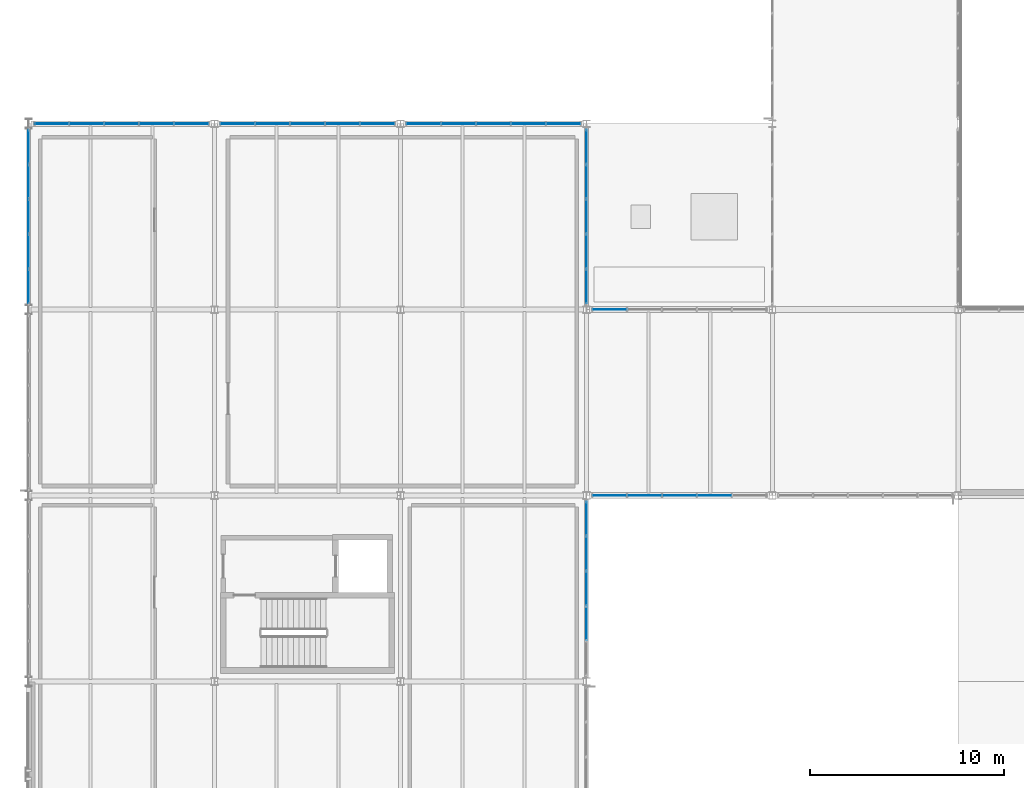
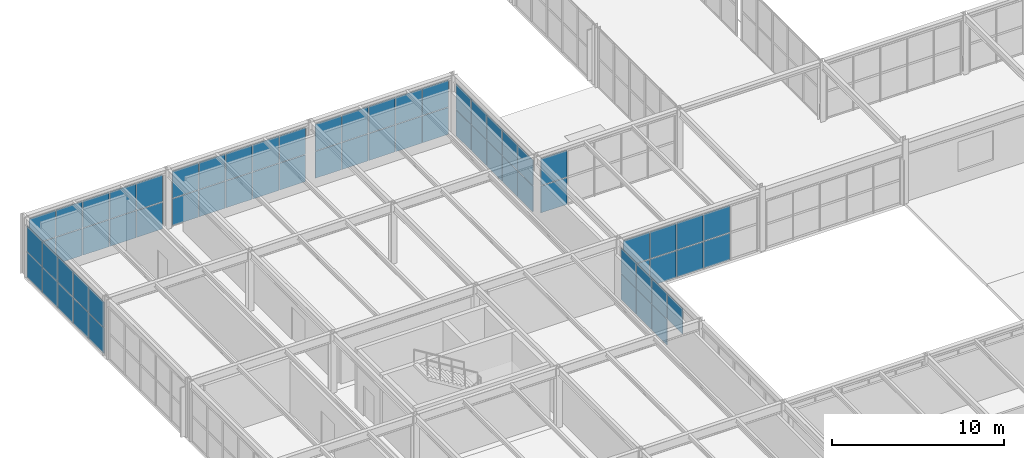
# One storey, part 133 of 170: 67 plates, 8 elements without a shape of their own.
"""IFC4 building model written with IfcOpenShell, lengths in metres."""

from ifc_helpers import new_model, si_unit, direction, frame, origin, origin_2d, place, context, subcontext, project, spatial, rectangle, extrude, material, layer, layer_set, type_object, element, aggregate, save


model = new_model("IFC4")

# Units and contexts
model_context = context("Model", 3, precision=1e-05, world=origin(), true_north=direction((0.0, 1.0)))
body_context = subcontext(model_context, "Body", "Model", "MODEL_VIEW")
ifc_project = project(units=[si_unit("LENGTHUNIT", "METRE"), si_unit("AREAUNIT", "SQUARE_METRE"), si_unit("VOLUMEUNIT", "CUBIC_METRE"), si_unit("PLANEANGLEUNIT", "RADIAN"), si_unit("MASSUNIT", "GRAM", prefix="KILO")], contexts=[model_context])

# Site, building, storey
site_placement = place(None, origin())
site = spatial("IfcSite", under=ifc_project, at=site_placement, CompositionType="ELEMENT")
building_placement = place(site_placement, origin())
building = spatial("IfcBuilding", under=site, at=building_placement, Name="Coralgate Yard Interchange", CompositionType="ELEMENT")
storey_placement = place(building_placement, frame((0.0, 0.0, 6.0)))
storey = spatial("IfcBuildingStorey", under=building, at=storey_placement, Name="L01", CompositionType="ELEMENT", Elevation=6.0)

# Curtain wall, plates
ifc_material_1 = material(Name="Anodised coastal aluminium and solar-control low-E glass", Category="aluminium")
curtain_wall_type_1 = type_object("IfcCurtainWallType", Name="CW-CW-L01-A", PredefinedType="NOTDEFINED", material=ifc_material_1)
curtain_wall_1_placement = place(storey_placement, origin())
curtain_wall_1 = element("IfcCurtainWall", 1, at=curtain_wall_1_placement, inside=storey, type_object=curtain_wall_type_1, Name="L01 unitised curtain wall CW-L01-W-00-05", PredefinedType="NOTDEFINED")
ifc_material_2 = material(Name="Solar-control double-glazed low-E glass unit", Category="glass")
ifc_layer = layer(ifc_material_2, 0.031982421875)
ifc_layer_set = layer_set([ifc_layer], Name="Solar-control double-glazed low-E glass unit")
plate_type = type_object("IfcPlateType", Name="PLT-CP-32", PredefinedType="CURTAIN_PANEL", material=ifc_layer_set)
plate_1_placement = place(storey_placement, frame((0.0, 49.199951171875, 0.02490234375), z_axis=(0.0, 0.0, 1.0), x_axis=(0.0, 1.0, 0.0)))
plate_1 = element("IfcPlate", 2, at=plate_1_placement, type_object=plate_type, Name="CW-L01-W-00-05 solar-control glazing panel 1-1", PredefinedType="CURTAIN_PANEL", context=body_context, shape_type="SweptSolid", body=[
    extrude(rectangle(XDim=1.75, YDim=0.031982421875, at=origin_2d()), origin(), (0.0, 0.0, 1.0), 1.808349609375),
])
plate_2_placement = place(storey_placement, frame((0.0, 49.199951171875, 1.88330078125), z_axis=(0.0, 0.0, 1.0), x_axis=(0.0, 1.0, 0.0)))
plate_2 = element("IfcPlate", 3, at=plate_2_placement, type_object=plate_type, Name="CW-L01-W-00-05 solar-control glazing panel 1-2", PredefinedType="CURTAIN_PANEL", context=body_context, shape_type="SweptSolid", body=[
    extrude(rectangle(XDim=1.75, YDim=0.031982421875, at=origin_2d()), origin(), (0.0, 0.0, 1.0), 1.808349609375),
])
plate_3_placement = place(storey_placement, frame((0.0, 51.0, 0.02490234375), z_axis=(0.0, 0.0, 1.0), x_axis=(0.0, 1.0, 0.0)))
plate_3 = element("IfcPlate", 4, at=plate_3_placement, type_object=plate_type, Name="CW-L01-W-00-05 solar-control glazing panel 2-1", PredefinedType="CURTAIN_PANEL", context=body_context, shape_type="SweptSolid", body=[
    extrude(rectangle(XDim=1.75, YDim=0.031982421875, at=origin_2d()), origin(), (0.0, 0.0, 1.0), 1.808349609375),
])
plate_4_placement = place(storey_placement, frame((0.0, 51.0, 1.88330078125), z_axis=(0.0, 0.0, 1.0), x_axis=(0.0, 1.0, 0.0)))
plate_4 = element("IfcPlate", 5, at=plate_4_placement, type_object=plate_type, Name="CW-L01-W-00-05 solar-control glazing panel 2-2", PredefinedType="CURTAIN_PANEL", context=body_context, shape_type="SweptSolid", body=[
    extrude(rectangle(XDim=1.75, YDim=0.031982421875, at=origin_2d()), origin(), (0.0, 0.0, 1.0), 1.808349609375),
])
plate_5_placement = place(storey_placement, frame((0.0, 52.800048828125, 0.02490234375), z_axis=(0.0, 0.0, 1.0), x_axis=(0.0, 1.0, 0.0)))
plate_5 = element("IfcPlate", 6, at=plate_5_placement, type_object=plate_type, Name="CW-L01-W-00-05 solar-control glazing panel 3-1", PredefinedType="CURTAIN_PANEL", context=body_context, shape_type="SweptSolid", body=[
    extrude(rectangle(XDim=1.75, YDim=0.031982421875, at=origin_2d()), origin(), (0.0, 0.0, 1.0), 1.808349609375),
])
plate_6_placement = place(storey_placement, frame((0.0, 52.800048828125, 1.88330078125), z_axis=(0.0, 0.0, 1.0), x_axis=(0.0, 1.0, 0.0)))
plate_6 = element("IfcPlate", 7, at=plate_6_placement, type_object=plate_type, Name="CW-L01-W-00-05 solar-control glazing panel 3-2", PredefinedType="CURTAIN_PANEL", context=body_context, shape_type="SweptSolid", body=[
    extrude(rectangle(XDim=1.75, YDim=0.031982421875, at=origin_2d()), origin(), (0.0, 0.0, 1.0), 1.808349609375),
])
plate_7_placement = place(storey_placement, frame((0.0, 54.60009765625, 0.02490234375), z_axis=(0.0, 0.0, 1.0), x_axis=(0.0, 1.0, 0.0)))
plate_7 = element("IfcPlate", 8, at=plate_7_placement, type_object=plate_type, Name="CW-L01-W-00-05 solar-control glazing panel 4-1", PredefinedType="CURTAIN_PANEL", context=body_context, shape_type="SweptSolid", body=[
    extrude(rectangle(XDim=1.75, YDim=0.031982421875, at=origin_2d()), origin(), (0.0, 0.0, 1.0), 1.808349609375),
])
plate_8_placement = place(storey_placement, frame((0.0, 54.60009765625, 1.88330078125), z_axis=(0.0, 0.0, 1.0), x_axis=(0.0, 1.0, 0.0)))
plate_8 = element("IfcPlate", 9, at=plate_8_placement, type_object=plate_type, Name="CW-L01-W-00-05 solar-control glazing panel 4-2", PredefinedType="CURTAIN_PANEL", context=body_context, shape_type="SweptSolid", body=[
    extrude(rectangle(XDim=1.75, YDim=0.031982421875, at=origin_2d()), origin(), (0.0, 0.0, 1.0), 1.808349609375),
])
plate_9_placement = place(storey_placement, frame((0.0, 56.39990234375, 0.02490234375), z_axis=(0.0, 0.0, 1.0), x_axis=(0.0, 1.0, 0.0)))
plate_9 = element("IfcPlate", 10, at=plate_9_placement, type_object=plate_type, Name="CW-L01-W-00-05 solar-control glazing panel 5-1", PredefinedType="CURTAIN_PANEL", context=body_context, shape_type="SweptSolid", body=[
    extrude(rectangle(XDim=1.75, YDim=0.031982421875, at=origin_2d()), origin(), (0.0, 0.0, 1.0), 1.808349609375),
])
plate_10_placement = place(storey_placement, frame((0.0, 56.39990234375, 1.88330078125), z_axis=(0.0, 0.0, 1.0), x_axis=(0.0, 1.0, 0.0)))
plate_10 = element("IfcPlate", 11, at=plate_10_placement, type_object=plate_type, Name="CW-L01-W-00-05 solar-control glazing panel 5-2", PredefinedType="CURTAIN_PANEL", context=body_context, shape_type="SweptSolid", body=[
    extrude(rectangle(XDim=1.75, YDim=0.031982421875, at=origin_2d()), origin(), (0.0, 0.0, 1.0), 1.808349609375),
])
aggregate(curtain_wall_1, [plate_1, plate_2, plate_3, plate_4, plate_5, plate_6, plate_7, plate_8, plate_9, plate_10])

curtain_wall_type_2 = type_object("IfcCurtainWallType", Name="CW-CW-L01-B", PredefinedType="NOTDEFINED", material=ifc_material_1)
curtain_wall_2_placement = place(storey_placement, origin())
curtain_wall_2 = element("IfcCurtainWall", 12, at=curtain_wall_2_placement, inside=storey, type_object=curtain_wall_type_2, Name="L01 unitised curtain wall CW-L01-N-00-05", PredefinedType="NOTDEFINED")
plate_11_placement = place(storey_placement, frame((1.199951171875, 57.60009765625, 0.025146484375), z_axis=(0.0, 0.0, 1.0), x_axis=(1.0, 0.0, 0.0)))
plate_11 = element("IfcPlate", 13, at=plate_11_placement, type_object=plate_type, Name="CW-L01-N-00-05 solar-control glazing panel 1-1", PredefinedType="CURTAIN_PANEL", context=body_context, shape_type="SweptSolid", body=[
    extrude(rectangle(XDim=1.75, YDim=0.031982421875, at=origin_2d()), origin(), (0.0, 0.0, 1.0), 1.89990234375),
])
plate_12_placement = place(storey_placement, frame((1.199951171875, 57.60009765625, 1.97509765625), z_axis=(0.0, 0.0, 1.0), x_axis=(1.0, 0.0, 0.0)))
plate_12 = element("IfcPlate", 14, at=plate_12_placement, type_object=plate_type, Name="CW-L01-N-00-05 solar-control glazing panel 1-2", PredefinedType="CURTAIN_PANEL", context=body_context, shape_type="SweptSolid", body=[
    extrude(rectangle(XDim=1.75, YDim=0.031982421875, at=origin_2d()), origin(), (0.0, 0.0, 1.0), 1.89990234375),
])
plate_13_placement = place(storey_placement, frame((3.0, 57.60009765625, 0.025146484375), z_axis=(0.0, 0.0, 1.0), x_axis=(1.0, 0.0, 0.0)))
plate_13 = element("IfcPlate", 15, at=plate_13_placement, type_object=plate_type, Name="CW-L01-N-00-05 solar-control glazing panel 2-1", PredefinedType="CURTAIN_PANEL", context=body_context, shape_type="SweptSolid", body=[
    extrude(rectangle(XDim=1.75, YDim=0.031982421875, at=origin_2d()), origin(), (0.0, 0.0, 1.0), 1.89990234375),
])
plate_14_placement = place(storey_placement, frame((3.0, 57.60009765625, 1.97509765625), z_axis=(0.0, 0.0, 1.0), x_axis=(1.0, 0.0, 0.0)))
plate_14 = element("IfcPlate", 16, at=plate_14_placement, type_object=plate_type, Name="CW-L01-N-00-05 solar-control glazing panel 2-2", PredefinedType="CURTAIN_PANEL", context=body_context, shape_type="SweptSolid", body=[
    extrude(rectangle(XDim=1.75, YDim=0.031982421875, at=origin_2d()), origin(), (0.0, 0.0, 1.0), 1.89990234375),
])
plate_15_placement = place(storey_placement, frame((4.800048828125, 57.60009765625, 0.025146484375), z_axis=(0.0, 0.0, 1.0), x_axis=(1.0, 0.0, 0.0)))
plate_15 = element("IfcPlate", 17, at=plate_15_placement, type_object=plate_type, Name="CW-L01-N-00-05 solar-control glazing panel 3-1", PredefinedType="CURTAIN_PANEL", context=body_context, shape_type="SweptSolid", body=[
    extrude(rectangle(XDim=1.75, YDim=0.031982421875, at=origin_2d()), origin(), (0.0, 0.0, 1.0), 1.89990234375),
])
plate_16_placement = place(storey_placement, frame((4.800048828125, 57.60009765625, 1.97509765625), z_axis=(0.0, 0.0, 1.0), x_axis=(1.0, 0.0, 0.0)))
plate_16 = element("IfcPlate", 18, at=plate_16_placement, type_object=plate_type, Name="CW-L01-N-00-05 solar-control glazing panel 3-2", PredefinedType="CURTAIN_PANEL", context=body_context, shape_type="SweptSolid", body=[
    extrude(rectangle(XDim=1.75, YDim=0.031982421875, at=origin_2d()), origin(), (0.0, 0.0, 1.0), 1.89990234375),
])
plate_17_placement = place(storey_placement, frame((6.60009765625, 57.60009765625, 0.025146484375), z_axis=(0.0, 0.0, 1.0), x_axis=(1.0, 0.0, 0.0)))
plate_17 = element("IfcPlate", 19, at=plate_17_placement, type_object=plate_type, Name="CW-L01-N-00-05 solar-control glazing panel 4-1", PredefinedType="CURTAIN_PANEL", context=body_context, shape_type="SweptSolid", body=[
    extrude(rectangle(XDim=1.75, YDim=0.031982421875, at=origin_2d()), origin(), (0.0, 0.0, 1.0), 1.89990234375),
])
plate_18_placement = place(storey_placement, frame((6.60009765625, 57.60009765625, 1.97509765625), z_axis=(0.0, 0.0, 1.0), x_axis=(1.0, 0.0, 0.0)))
plate_18 = element("IfcPlate", 20, at=plate_18_placement, type_object=plate_type, Name="CW-L01-N-00-05 solar-control glazing panel 4-2", PredefinedType="CURTAIN_PANEL", context=body_context, shape_type="SweptSolid", body=[
    extrude(rectangle(XDim=1.75, YDim=0.031982421875, at=origin_2d()), origin(), (0.0, 0.0, 1.0), 1.89990234375),
])
plate_19_placement = place(storey_placement, frame((8.39990234375, 57.60009765625, 0.025146484375), z_axis=(0.0, 0.0, 1.0), x_axis=(1.0, 0.0, 0.0)))
plate_19 = element("IfcPlate", 21, at=plate_19_placement, type_object=plate_type, Name="CW-L01-N-00-05 solar-control glazing panel 5-1", PredefinedType="CURTAIN_PANEL", context=body_context, shape_type="SweptSolid", body=[
    extrude(rectangle(XDim=1.75, YDim=0.031982421875, at=origin_2d()), origin(), (0.0, 0.0, 1.0), 1.89990234375),
])
plate_20_placement = place(storey_placement, frame((8.39990234375, 57.60009765625, 1.97509765625), z_axis=(0.0, 0.0, 1.0), x_axis=(1.0, 0.0, 0.0)))
plate_20 = element("IfcPlate", 22, at=plate_20_placement, type_object=plate_type, Name="CW-L01-N-00-05 solar-control glazing panel 5-2", PredefinedType="CURTAIN_PANEL", context=body_context, shape_type="SweptSolid", body=[
    extrude(rectangle(XDim=1.75, YDim=0.031982421875, at=origin_2d()), origin(), (0.0, 0.0, 1.0), 1.89990234375),
])
aggregate(curtain_wall_2, [plate_11, plate_12, plate_13, plate_14, plate_15, plate_16, plate_17, plate_18, plate_19, plate_20])

curtain_wall_3_placement = place(storey_placement, origin())
curtain_wall_3 = element("IfcCurtainWall", 23, at=curtain_wall_3_placement, inside=storey, type_object=curtain_wall_type_2, Name="L01 unitised curtain wall CW-L01-N-01-05", PredefinedType="NOTDEFINED")
plate_21_placement = place(storey_placement, frame((10.800048828125, 57.60009765625, 0.025146484375), z_axis=(0.0, 0.0, 1.0), x_axis=(1.0, 0.0, 0.0)))
plate_21 = element("IfcPlate", 24, at=plate_21_placement, type_object=plate_type, Name="CW-L01-N-01-05 solar-control glazing panel 1-1", PredefinedType="CURTAIN_PANEL", context=body_context, shape_type="SweptSolid", body=[
    extrude(rectangle(XDim=1.75, YDim=0.031982421875, at=origin_2d()), origin(), (0.0, 0.0, 1.0), 1.89990234375),
])
plate_22_placement = place(storey_placement, frame((10.800048828125, 57.60009765625, 1.97509765625), z_axis=(0.0, 0.0, 1.0), x_axis=(1.0, 0.0, 0.0)))
plate_22 = element("IfcPlate", 25, at=plate_22_placement, type_object=plate_type, Name="CW-L01-N-01-05 solar-control glazing panel 1-2", PredefinedType="CURTAIN_PANEL", context=body_context, shape_type="SweptSolid", body=[
    extrude(rectangle(XDim=1.75, YDim=0.031982421875, at=origin_2d()), origin(), (0.0, 0.0, 1.0), 1.89990234375),
])
plate_23_placement = place(storey_placement, frame((12.60009765625, 57.60009765625, 0.025146484375), z_axis=(0.0, 0.0, 1.0), x_axis=(1.0, 0.0, 0.0)))
plate_23 = element("IfcPlate", 26, at=plate_23_placement, type_object=plate_type, Name="CW-L01-N-01-05 solar-control glazing panel 2-1", PredefinedType="CURTAIN_PANEL", context=body_context, shape_type="SweptSolid", body=[
    extrude(rectangle(XDim=1.75, YDim=0.031982421875, at=origin_2d()), origin(), (0.0, 0.0, 1.0), 1.89990234375),
])
plate_24_placement = place(storey_placement, frame((12.60009765625, 57.60009765625, 1.97509765625), z_axis=(0.0, 0.0, 1.0), x_axis=(1.0, 0.0, 0.0)))
plate_24 = element("IfcPlate", 27, at=plate_24_placement, type_object=plate_type, Name="CW-L01-N-01-05 solar-control glazing panel 2-2", PredefinedType="CURTAIN_PANEL", context=body_context, shape_type="SweptSolid", body=[
    extrude(rectangle(XDim=1.75, YDim=0.031982421875, at=origin_2d()), origin(), (0.0, 0.0, 1.0), 1.89990234375),
])
plate_25_placement = place(storey_placement, frame((14.39990234375, 57.60009765625, 0.025146484375), z_axis=(0.0, 0.0, 1.0), x_axis=(1.0, 0.0, 0.0)))
plate_25 = element("IfcPlate", 28, at=plate_25_placement, type_object=plate_type, Name="CW-L01-N-01-05 solar-control glazing panel 3-1", PredefinedType="CURTAIN_PANEL", context=body_context, shape_type="SweptSolid", body=[
    extrude(rectangle(XDim=1.75, YDim=0.031982421875, at=origin_2d()), origin(), (0.0, 0.0, 1.0), 1.89990234375),
])
plate_26_placement = place(storey_placement, frame((14.39990234375, 57.60009765625, 1.97509765625), z_axis=(0.0, 0.0, 1.0), x_axis=(1.0, 0.0, 0.0)))
plate_26 = element("IfcPlate", 29, at=plate_26_placement, type_object=plate_type, Name="CW-L01-N-01-05 solar-control glazing panel 3-2", PredefinedType="CURTAIN_PANEL", context=body_context, shape_type="SweptSolid", body=[
    extrude(rectangle(XDim=1.75, YDim=0.031982421875, at=origin_2d()), origin(), (0.0, 0.0, 1.0), 1.89990234375),
])
plate_27_placement = place(storey_placement, frame((16.199951171875, 57.60009765625, 0.025146484375), z_axis=(0.0, 0.0, 1.0), x_axis=(1.0, 0.0, 0.0)))
plate_27 = element("IfcPlate", 30, at=plate_27_placement, type_object=plate_type, Name="CW-L01-N-01-05 solar-control glazing panel 4-1", PredefinedType="CURTAIN_PANEL", context=body_context, shape_type="SweptSolid", body=[
    extrude(rectangle(XDim=1.75, YDim=0.031982421875, at=origin_2d()), origin(), (0.0, 0.0, 1.0), 1.89990234375),
])
plate_28_placement = place(storey_placement, frame((16.199951171875, 57.60009765625, 1.97509765625), z_axis=(0.0, 0.0, 1.0), x_axis=(1.0, 0.0, 0.0)))
plate_28 = element("IfcPlate", 31, at=plate_28_placement, type_object=plate_type, Name="CW-L01-N-01-05 solar-control glazing panel 4-2", PredefinedType="CURTAIN_PANEL", context=body_context, shape_type="SweptSolid", body=[
    extrude(rectangle(XDim=1.75, YDim=0.031982421875, at=origin_2d()), origin(), (0.0, 0.0, 1.0), 1.89990234375),
])
plate_29_placement = place(storey_placement, frame((18.0, 57.60009765625, 0.025146484375), z_axis=(0.0, 0.0, 1.0), x_axis=(1.0, 0.0, 0.0)))
plate_29 = element("IfcPlate", 32, at=plate_29_placement, type_object=plate_type, Name="CW-L01-N-01-05 solar-control glazing panel 5-1", PredefinedType="CURTAIN_PANEL", context=body_context, shape_type="SweptSolid", body=[
    extrude(rectangle(XDim=1.75, YDim=0.031982421875, at=origin_2d()), origin(), (0.0, 0.0, 1.0), 1.89990234375),
])
plate_30_placement = place(storey_placement, frame((18.0, 57.60009765625, 1.97509765625), z_axis=(0.0, 0.0, 1.0), x_axis=(1.0, 0.0, 0.0)))
plate_30 = element("IfcPlate", 33, at=plate_30_placement, type_object=plate_type, Name="CW-L01-N-01-05 solar-control glazing panel 5-2", PredefinedType="CURTAIN_PANEL", context=body_context, shape_type="SweptSolid", body=[
    extrude(rectangle(XDim=1.75, YDim=0.031982421875, at=origin_2d()), origin(), (0.0, 0.0, 1.0), 1.89990234375),
])
aggregate(curtain_wall_3, [plate_21, plate_22, plate_23, plate_24, plate_25, plate_26, plate_27, plate_28, plate_29, plate_30])

curtain_wall_4_placement = place(storey_placement, origin())
curtain_wall_4 = element("IfcCurtainWall", 34, at=curtain_wall_4_placement, inside=storey, type_object=curtain_wall_type_1, Name="L01 unitised curtain wall CW-L01-E-02-03", PredefinedType="NOTDEFINED")
plate_31_placement = place(storey_placement, frame((28.800048828125, 37.199951171875, 0.02490234375), z_axis=(0.0, 0.0, 1.0), x_axis=(0.0, -1.0, 0.0)))
plate_31 = element("IfcPlate", 35, at=plate_31_placement, type_object=plate_type, Name="CW-L01-E-02-03 solar-control glazing panel 1-1", PredefinedType="CURTAIN_PANEL", context=body_context, shape_type="SweptSolid", body=[
    extrude(rectangle(XDim=1.75, YDim=0.031982421875, at=origin_2d()), origin(), (0.0, 0.0, 1.0), 1.808349609375),
])
plate_32_placement = place(storey_placement, frame((28.800048828125, 37.199951171875, 1.88330078125), z_axis=(0.0, 0.0, 1.0), x_axis=(0.0, -1.0, 0.0)))
plate_32 = element("IfcPlate", 36, at=plate_32_placement, type_object=plate_type, Name="CW-L01-E-02-03 solar-control glazing panel 1-2", PredefinedType="CURTAIN_PANEL", context=body_context, shape_type="SweptSolid", body=[
    extrude(rectangle(XDim=1.75, YDim=0.031982421875, at=origin_2d()), origin(), (0.0, 0.0, 1.0), 1.808349609375),
])
plate_33_placement = place(storey_placement, frame((28.800048828125, 35.39990234375, 0.02490234375), z_axis=(0.0, 0.0, 1.0), x_axis=(0.0, -1.0, 0.0)))
plate_33 = element("IfcPlate", 37, at=plate_33_placement, type_object=plate_type, Name="CW-L01-E-02-03 solar-control glazing panel 2-1", PredefinedType="CURTAIN_PANEL", context=body_context, shape_type="SweptSolid", body=[
    extrude(rectangle(XDim=1.75, YDim=0.031982421875, at=origin_2d()), origin(), (0.0, 0.0, 1.0), 1.808349609375),
])
plate_34_placement = place(storey_placement, frame((28.800048828125, 35.39990234375, 1.88330078125), z_axis=(0.0, 0.0, 1.0), x_axis=(0.0, -1.0, 0.0)))
plate_34 = element("IfcPlate", 38, at=plate_34_placement, type_object=plate_type, Name="CW-L01-E-02-03 solar-control glazing panel 2-2", PredefinedType="CURTAIN_PANEL", context=body_context, shape_type="SweptSolid", body=[
    extrude(rectangle(XDim=1.75, YDim=0.031982421875, at=origin_2d()), origin(), (0.0, 0.0, 1.0), 1.808349609375),
])
plate_35_placement = place(storey_placement, frame((28.800048828125, 33.60009765625, 0.02490234375), z_axis=(0.0, 0.0, 1.0), x_axis=(0.0, -1.0, 0.0)))
plate_35 = element("IfcPlate", 39, at=plate_35_placement, type_object=plate_type, Name="CW-L01-E-02-03 solar-control glazing panel 3-1", PredefinedType="CURTAIN_PANEL", context=body_context, shape_type="SweptSolid", body=[
    extrude(rectangle(XDim=1.75, YDim=0.031982421875, at=origin_2d()), origin(), (0.0, 0.0, 1.0), 1.808349609375),
])
plate_36_placement = place(storey_placement, frame((28.800048828125, 33.60009765625, 1.88330078125), z_axis=(0.0, 0.0, 1.0), x_axis=(0.0, -1.0, 0.0)))
plate_36 = element("IfcPlate", 40, at=plate_36_placement, type_object=plate_type, Name="CW-L01-E-02-03 solar-control glazing panel 3-2", PredefinedType="CURTAIN_PANEL", context=body_context, shape_type="SweptSolid", body=[
    extrude(rectangle(XDim=1.75, YDim=0.031982421875, at=origin_2d()), origin(), (0.0, 0.0, 1.0), 1.808349609375),
])
plate_37_placement = place(storey_placement, frame((28.800048828125, 31.800048828125, 1.88330078125), z_axis=(0.0, 0.0, 1.0), x_axis=(0.0, -1.0, 0.0)))
plate_37 = element("IfcPlate", 41, at=plate_37_placement, type_object=plate_type, Name="CW-L01-E-02-03 solar-control glazing panel 4-2", PredefinedType="CURTAIN_PANEL", context=body_context, shape_type="SweptSolid", body=[
    extrude(rectangle(XDim=1.75, YDim=0.031982421875, at=origin_2d()), origin(), (0.0, 0.0, 1.0), 1.808349609375),
])
aggregate(curtain_wall_4, [plate_31, plate_32, plate_33, plate_34, plate_35, plate_36, plate_37])

curtain_wall_5_placement = place(storey_placement, origin())
curtain_wall_5 = element("IfcCurtainWall", 42, at=curtain_wall_5_placement, inside=storey, type_object=curtain_wall_type_2, Name="L01 unitised curtain wall CW-L01-N-02-05", PredefinedType="NOTDEFINED")
plate_38_placement = place(storey_placement, frame((20.39990234375, 57.60009765625, 0.025146484375), z_axis=(0.0, 0.0, 1.0), x_axis=(1.0, 0.0, 0.0)))
plate_38 = element("IfcPlate", 43, at=plate_38_placement, type_object=plate_type, Name="CW-L01-N-02-05 solar-control glazing panel 1-1", PredefinedType="CURTAIN_PANEL", context=body_context, shape_type="SweptSolid", body=[
    extrude(rectangle(XDim=1.75, YDim=0.031982421875, at=origin_2d()), origin(), (0.0, 0.0, 1.0), 1.89990234375),
])
plate_39_placement = place(storey_placement, frame((20.39990234375, 57.60009765625, 1.97509765625), z_axis=(0.0, 0.0, 1.0), x_axis=(1.0, 0.0, 0.0)))
plate_39 = element("IfcPlate", 44, at=plate_39_placement, type_object=plate_type, Name="CW-L01-N-02-05 solar-control glazing panel 1-2", PredefinedType="CURTAIN_PANEL", context=body_context, shape_type="SweptSolid", body=[
    extrude(rectangle(XDim=1.75, YDim=0.031982421875, at=origin_2d()), origin(), (0.0, 0.0, 1.0), 1.89990234375),
])
plate_40_placement = place(storey_placement, frame((22.199951171875, 57.60009765625, 0.025146484375), z_axis=(0.0, 0.0, 1.0), x_axis=(1.0, 0.0, 0.0)))
plate_40 = element("IfcPlate", 45, at=plate_40_placement, type_object=plate_type, Name="CW-L01-N-02-05 solar-control glazing panel 2-1", PredefinedType="CURTAIN_PANEL", context=body_context, shape_type="SweptSolid", body=[
    extrude(rectangle(XDim=1.75, YDim=0.031982421875, at=origin_2d()), origin(), (0.0, 0.0, 1.0), 1.89990234375),
])
plate_41_placement = place(storey_placement, frame((22.199951171875, 57.60009765625, 1.97509765625), z_axis=(0.0, 0.0, 1.0), x_axis=(1.0, 0.0, 0.0)))
plate_41 = element("IfcPlate", 46, at=plate_41_placement, type_object=plate_type, Name="CW-L01-N-02-05 solar-control glazing panel 2-2", PredefinedType="CURTAIN_PANEL", context=body_context, shape_type="SweptSolid", body=[
    extrude(rectangle(XDim=1.75, YDim=0.031982421875, at=origin_2d()), origin(), (0.0, 0.0, 1.0), 1.89990234375),
])
plate_42_placement = place(storey_placement, frame((24.0, 57.60009765625, 0.025146484375), z_axis=(0.0, 0.0, 1.0), x_axis=(1.0, 0.0, 0.0)))
plate_42 = element("IfcPlate", 47, at=plate_42_placement, type_object=plate_type, Name="CW-L01-N-02-05 solar-control glazing panel 3-1", PredefinedType="CURTAIN_PANEL", context=body_context, shape_type="SweptSolid", body=[
    extrude(rectangle(XDim=1.75, YDim=0.031982421875, at=origin_2d()), origin(), (0.0, 0.0, 1.0), 1.89990234375),
])
plate_43_placement = place(storey_placement, frame((24.0, 57.60009765625, 1.97509765625), z_axis=(0.0, 0.0, 1.0), x_axis=(1.0, 0.0, 0.0)))
plate_43 = element("IfcPlate", 48, at=plate_43_placement, type_object=plate_type, Name="CW-L01-N-02-05 solar-control glazing panel 3-2", PredefinedType="CURTAIN_PANEL", context=body_context, shape_type="SweptSolid", body=[
    extrude(rectangle(XDim=1.75, YDim=0.031982421875, at=origin_2d()), origin(), (0.0, 0.0, 1.0), 1.89990234375),
])
plate_44_placement = place(storey_placement, frame((25.800048828125, 57.60009765625, 0.025146484375), z_axis=(0.0, 0.0, 1.0), x_axis=(1.0, 0.0, 0.0)))
plate_44 = element("IfcPlate", 49, at=plate_44_placement, type_object=plate_type, Name="CW-L01-N-02-05 solar-control glazing panel 4-1", PredefinedType="CURTAIN_PANEL", context=body_context, shape_type="SweptSolid", body=[
    extrude(rectangle(XDim=1.75, YDim=0.031982421875, at=origin_2d()), origin(), (0.0, 0.0, 1.0), 1.89990234375),
])
plate_45_placement = place(storey_placement, frame((25.800048828125, 57.60009765625, 1.97509765625), z_axis=(0.0, 0.0, 1.0), x_axis=(1.0, 0.0, 0.0)))
plate_45 = element("IfcPlate", 50, at=plate_45_placement, type_object=plate_type, Name="CW-L01-N-02-05 solar-control glazing panel 4-2", PredefinedType="CURTAIN_PANEL", context=body_context, shape_type="SweptSolid", body=[
    extrude(rectangle(XDim=1.75, YDim=0.031982421875, at=origin_2d()), origin(), (0.0, 0.0, 1.0), 1.89990234375),
])
plate_46_placement = place(storey_placement, frame((27.60009765625, 57.60009765625, 0.025146484375), z_axis=(0.0, 0.0, 1.0), x_axis=(1.0, 0.0, 0.0)))
plate_46 = element("IfcPlate", 51, at=plate_46_placement, type_object=plate_type, Name="CW-L01-N-02-05 solar-control glazing panel 5-1", PredefinedType="CURTAIN_PANEL", context=body_context, shape_type="SweptSolid", body=[
    extrude(rectangle(XDim=1.75, YDim=0.031982421875, at=origin_2d()), origin(), (0.0, 0.0, 1.0), 1.89990234375),
])
plate_47_placement = place(storey_placement, frame((27.60009765625, 57.60009765625, 1.97509765625), z_axis=(0.0, 0.0, 1.0), x_axis=(1.0, 0.0, 0.0)))
plate_47 = element("IfcPlate", 52, at=plate_47_placement, type_object=plate_type, Name="CW-L01-N-02-05 solar-control glazing panel 5-2", PredefinedType="CURTAIN_PANEL", context=body_context, shape_type="SweptSolid", body=[
    extrude(rectangle(XDim=1.75, YDim=0.031982421875, at=origin_2d()), origin(), (0.0, 0.0, 1.0), 1.89990234375),
])
aggregate(curtain_wall_5, [plate_38, plate_39, plate_40, plate_41, plate_42, plate_43, plate_44, plate_45, plate_46, plate_47])

curtain_wall_6_placement = place(storey_placement, origin())
curtain_wall_6 = element("IfcCurtainWall", 53, at=curtain_wall_6_placement, inside=storey, type_object=curtain_wall_type_1, Name="L01 unitised curtain wall CW-L01-E-02-05", PredefinedType="NOTDEFINED")
plate_48_placement = place(storey_placement, frame((28.800048828125, 56.39990234375, 0.02490234375), z_axis=(0.0, 0.0, 1.0), x_axis=(0.0, -1.0, 0.0)))
plate_48 = element("IfcPlate", 54, at=plate_48_placement, type_object=plate_type, Name="CW-L01-E-02-05 solar-control glazing panel 1-1", PredefinedType="CURTAIN_PANEL", context=body_context, shape_type="SweptSolid", body=[
    extrude(rectangle(XDim=1.75, YDim=0.031982421875, at=origin_2d()), origin(), (0.0, 0.0, 1.0), 1.808349609375),
])
plate_49_placement = place(storey_placement, frame((28.800048828125, 56.39990234375, 1.88330078125), z_axis=(0.0, 0.0, 1.0), x_axis=(0.0, -1.0, 0.0)))
plate_49 = element("IfcPlate", 55, at=plate_49_placement, type_object=plate_type, Name="CW-L01-E-02-05 solar-control glazing panel 1-2", PredefinedType="CURTAIN_PANEL", context=body_context, shape_type="SweptSolid", body=[
    extrude(rectangle(XDim=1.75, YDim=0.031982421875, at=origin_2d()), origin(), (0.0, 0.0, 1.0), 1.808349609375),
])
plate_50_placement = place(storey_placement, frame((28.800048828125, 54.60009765625, 0.02490234375), z_axis=(0.0, 0.0, 1.0), x_axis=(0.0, -1.0, 0.0)))
plate_50 = element("IfcPlate", 56, at=plate_50_placement, type_object=plate_type, Name="CW-L01-E-02-05 solar-control glazing panel 2-1", PredefinedType="CURTAIN_PANEL", context=body_context, shape_type="SweptSolid", body=[
    extrude(rectangle(XDim=1.75, YDim=0.031982421875, at=origin_2d()), origin(), (0.0, 0.0, 1.0), 1.808349609375),
])
plate_51_placement = place(storey_placement, frame((28.800048828125, 54.60009765625, 1.88330078125), z_axis=(0.0, 0.0, 1.0), x_axis=(0.0, -1.0, 0.0)))
plate_51 = element("IfcPlate", 57, at=plate_51_placement, type_object=plate_type, Name="CW-L01-E-02-05 solar-control glazing panel 2-2", PredefinedType="CURTAIN_PANEL", context=body_context, shape_type="SweptSolid", body=[
    extrude(rectangle(XDim=1.75, YDim=0.031982421875, at=origin_2d()), origin(), (0.0, 0.0, 1.0), 1.808349609375),
])
plate_52_placement = place(storey_placement, frame((28.800048828125, 52.800048828125, 0.02490234375), z_axis=(0.0, 0.0, 1.0), x_axis=(0.0, -1.0, 0.0)))
plate_52 = element("IfcPlate", 58, at=plate_52_placement, type_object=plate_type, Name="CW-L01-E-02-05 solar-control glazing panel 3-1", PredefinedType="CURTAIN_PANEL", context=body_context, shape_type="SweptSolid", body=[
    extrude(rectangle(XDim=1.75, YDim=0.031982421875, at=origin_2d()), origin(), (0.0, 0.0, 1.0), 1.808349609375),
])
plate_53_placement = place(storey_placement, frame((28.800048828125, 52.800048828125, 1.88330078125), z_axis=(0.0, 0.0, 1.0), x_axis=(0.0, -1.0, 0.0)))
plate_53 = element("IfcPlate", 59, at=plate_53_placement, type_object=plate_type, Name="CW-L01-E-02-05 solar-control glazing panel 3-2", PredefinedType="CURTAIN_PANEL", context=body_context, shape_type="SweptSolid", body=[
    extrude(rectangle(XDim=1.75, YDim=0.031982421875, at=origin_2d()), origin(), (0.0, 0.0, 1.0), 1.808349609375),
])
plate_54_placement = place(storey_placement, frame((28.800048828125, 51.0, 0.02490234375), z_axis=(0.0, 0.0, 1.0), x_axis=(0.0, -1.0, 0.0)))
plate_54 = element("IfcPlate", 60, at=plate_54_placement, type_object=plate_type, Name="CW-L01-E-02-05 solar-control glazing panel 4-1", PredefinedType="CURTAIN_PANEL", context=body_context, shape_type="SweptSolid", body=[
    extrude(rectangle(XDim=1.75, YDim=0.031982421875, at=origin_2d()), origin(), (0.0, 0.0, 1.0), 1.808349609375),
])
plate_55_placement = place(storey_placement, frame((28.800048828125, 51.0, 1.88330078125), z_axis=(0.0, 0.0, 1.0), x_axis=(0.0, -1.0, 0.0)))
plate_55 = element("IfcPlate", 61, at=plate_55_placement, type_object=plate_type, Name="CW-L01-E-02-05 solar-control glazing panel 4-2", PredefinedType="CURTAIN_PANEL", context=body_context, shape_type="SweptSolid", body=[
    extrude(rectangle(XDim=1.75, YDim=0.031982421875, at=origin_2d()), origin(), (0.0, 0.0, 1.0), 1.808349609375),
])
plate_56_placement = place(storey_placement, frame((28.800048828125, 49.199951171875, 0.02490234375), z_axis=(0.0, 0.0, 1.0), x_axis=(0.0, -1.0, 0.0)))
plate_56 = element("IfcPlate", 62, at=plate_56_placement, type_object=plate_type, Name="CW-L01-E-02-05 solar-control glazing panel 5-1", PredefinedType="CURTAIN_PANEL", context=body_context, shape_type="SweptSolid", body=[
    extrude(rectangle(XDim=1.75, YDim=0.031982421875, at=origin_2d()), origin(), (0.0, 0.0, 1.0), 1.808349609375),
])
plate_57_placement = place(storey_placement, frame((28.800048828125, 49.199951171875, 1.88330078125), z_axis=(0.0, 0.0, 1.0), x_axis=(0.0, -1.0, 0.0)))
plate_57 = element("IfcPlate", 63, at=plate_57_placement, type_object=plate_type, Name="CW-L01-E-02-05 solar-control glazing panel 5-2", PredefinedType="CURTAIN_PANEL", context=body_context, shape_type="SweptSolid", body=[
    extrude(rectangle(XDim=1.75, YDim=0.031982421875, at=origin_2d()), origin(), (0.0, 0.0, 1.0), 1.808349609375),
])
aggregate(curtain_wall_6, [plate_48, plate_49, plate_50, plate_51, plate_52, plate_53, plate_54, plate_55, plate_56, plate_57])

curtain_wall_7_placement = place(storey_placement, origin())
curtain_wall_7 = element("IfcCurtainWall", 64, at=curtain_wall_7_placement, inside=storey, type_object=curtain_wall_type_2, Name="L01 unitised curtain wall CW-L01-S-03-04", PredefinedType="NOTDEFINED")
plate_58_placement = place(storey_placement, frame((35.39990234375, 38.39990234375, 0.025146484375), z_axis=(0.0, 0.0, 1.0), x_axis=(-1.0, 0.0, 0.0)))
plate_58 = element("IfcPlate", 65, at=plate_58_placement, type_object=plate_type, Name="CW-L01-S-03-04 solar-control glazing panel 2-1", PredefinedType="CURTAIN_PANEL", context=body_context, shape_type="SweptSolid", body=[
    extrude(rectangle(XDim=1.75, YDim=0.031982421875, at=origin_2d()), origin(), (0.0, 0.0, 1.0), 1.89990234375),
])
plate_59_placement = place(storey_placement, frame((35.39990234375, 38.39990234375, 1.97509765625), z_axis=(0.0, 0.0, 1.0), x_axis=(-1.0, 0.0, 0.0)))
plate_59 = element("IfcPlate", 66, at=plate_59_placement, type_object=plate_type, Name="CW-L01-S-03-04 solar-control glazing panel 2-2", PredefinedType="CURTAIN_PANEL", context=body_context, shape_type="SweptSolid", body=[
    extrude(rectangle(XDim=1.75, YDim=0.031982421875, at=origin_2d()), origin(), (0.0, 0.0, 1.0), 1.89990234375),
])
plate_60_placement = place(storey_placement, frame((33.60009765625, 38.39990234375, 0.025146484375), z_axis=(0.0, 0.0, 1.0), x_axis=(-1.0, 0.0, 0.0)))
plate_60 = element("IfcPlate", 67, at=plate_60_placement, type_object=plate_type, Name="CW-L01-S-03-04 solar-control glazing panel 3-1", PredefinedType="CURTAIN_PANEL", context=body_context, shape_type="SweptSolid", body=[
    extrude(rectangle(XDim=1.75, YDim=0.031982421875, at=origin_2d()), origin(), (0.0, 0.0, 1.0), 1.89990234375),
])
plate_61_placement = place(storey_placement, frame((33.60009765625, 38.39990234375, 1.97509765625), z_axis=(0.0, 0.0, 1.0), x_axis=(-1.0, 0.0, 0.0)))
plate_61 = element("IfcPlate", 68, at=plate_61_placement, type_object=plate_type, Name="CW-L01-S-03-04 solar-control glazing panel 3-2", PredefinedType="CURTAIN_PANEL", context=body_context, shape_type="SweptSolid", body=[
    extrude(rectangle(XDim=1.75, YDim=0.031982421875, at=origin_2d()), origin(), (0.0, 0.0, 1.0), 1.89990234375),
])
plate_62_placement = place(storey_placement, frame((31.800048828125, 38.39990234375, 0.025146484375), z_axis=(0.0, 0.0, 1.0), x_axis=(-1.0, 0.0, 0.0)))
plate_62 = element("IfcPlate", 69, at=plate_62_placement, type_object=plate_type, Name="CW-L01-S-03-04 solar-control glazing panel 4-1", PredefinedType="CURTAIN_PANEL", context=body_context, shape_type="SweptSolid", body=[
    extrude(rectangle(XDim=1.75, YDim=0.031982421875, at=origin_2d()), origin(), (0.0, 0.0, 1.0), 1.89990234375),
])
plate_63_placement = place(storey_placement, frame((31.800048828125, 38.39990234375, 1.97509765625), z_axis=(0.0, 0.0, 1.0), x_axis=(-1.0, 0.0, 0.0)))
plate_63 = element("IfcPlate", 70, at=plate_63_placement, type_object=plate_type, Name="CW-L01-S-03-04 solar-control glazing panel 4-2", PredefinedType="CURTAIN_PANEL", context=body_context, shape_type="SweptSolid", body=[
    extrude(rectangle(XDim=1.75, YDim=0.031982421875, at=origin_2d()), origin(), (0.0, 0.0, 1.0), 1.89990234375),
])
plate_64_placement = place(storey_placement, frame((30.0, 38.39990234375, 0.025146484375), z_axis=(0.0, 0.0, 1.0), x_axis=(-1.0, 0.0, 0.0)))
plate_64 = element("IfcPlate", 71, at=plate_64_placement, type_object=plate_type, Name="CW-L01-S-03-04 solar-control glazing panel 5-1", PredefinedType="CURTAIN_PANEL", context=body_context, shape_type="SweptSolid", body=[
    extrude(rectangle(XDim=1.75, YDim=0.031982421875, at=origin_2d()), origin(), (0.0, 0.0, 1.0), 1.89990234375),
])
plate_65_placement = place(storey_placement, frame((30.0, 38.39990234375, 1.97509765625), z_axis=(0.0, 0.0, 1.0), x_axis=(-1.0, 0.0, 0.0)))
plate_65 = element("IfcPlate", 72, at=plate_65_placement, type_object=plate_type, Name="CW-L01-S-03-04 solar-control glazing panel 5-2", PredefinedType="CURTAIN_PANEL", context=body_context, shape_type="SweptSolid", body=[
    extrude(rectangle(XDim=1.75, YDim=0.031982421875, at=origin_2d()), origin(), (0.0, 0.0, 1.0), 1.89990234375),
])
aggregate(curtain_wall_7, [plate_58, plate_59, plate_60, plate_61, plate_62, plate_63, plate_64, plate_65])

curtain_wall_8_placement = place(storey_placement, origin())
curtain_wall_8 = element("IfcCurtainWall", 73, at=curtain_wall_8_placement, inside=storey, type_object=curtain_wall_type_1, Name="L01 unitised curtain wall CW-L01-N-03-04", PredefinedType="NOTDEFINED")
plate_66_placement = place(storey_placement, frame((30.0, 48.0, 0.025146484375), z_axis=(0.0, 0.0, 1.0), x_axis=(1.0, 0.0, 0.0)))
plate_66 = element("IfcPlate", 74, at=plate_66_placement, type_object=plate_type, Name="CW-L01-N-03-04 solar-control glazing panel 1-1", PredefinedType="CURTAIN_PANEL", context=body_context, shape_type="SweptSolid", body=[
    extrude(rectangle(XDim=1.75, YDim=0.031982421875, at=origin_2d()), origin(), (0.0, 0.0, 1.0), 1.89990234375),
])
plate_67_placement = place(storey_placement, frame((30.0, 48.0, 1.97509765625), z_axis=(0.0, 0.0, 1.0), x_axis=(1.0, 0.0, 0.0)))
plate_67 = element("IfcPlate", 75, at=plate_67_placement, type_object=plate_type, Name="CW-L01-N-03-04 solar-control glazing panel 1-2", PredefinedType="CURTAIN_PANEL", context=body_context, shape_type="SweptSolid", body=[
    extrude(rectangle(XDim=1.75, YDim=0.031982421875, at=origin_2d()), origin(), (0.0, 0.0, 1.0), 1.89990234375),
])
aggregate(curtain_wall_8, [plate_66, plate_67])

save(model, "model.ifc")
